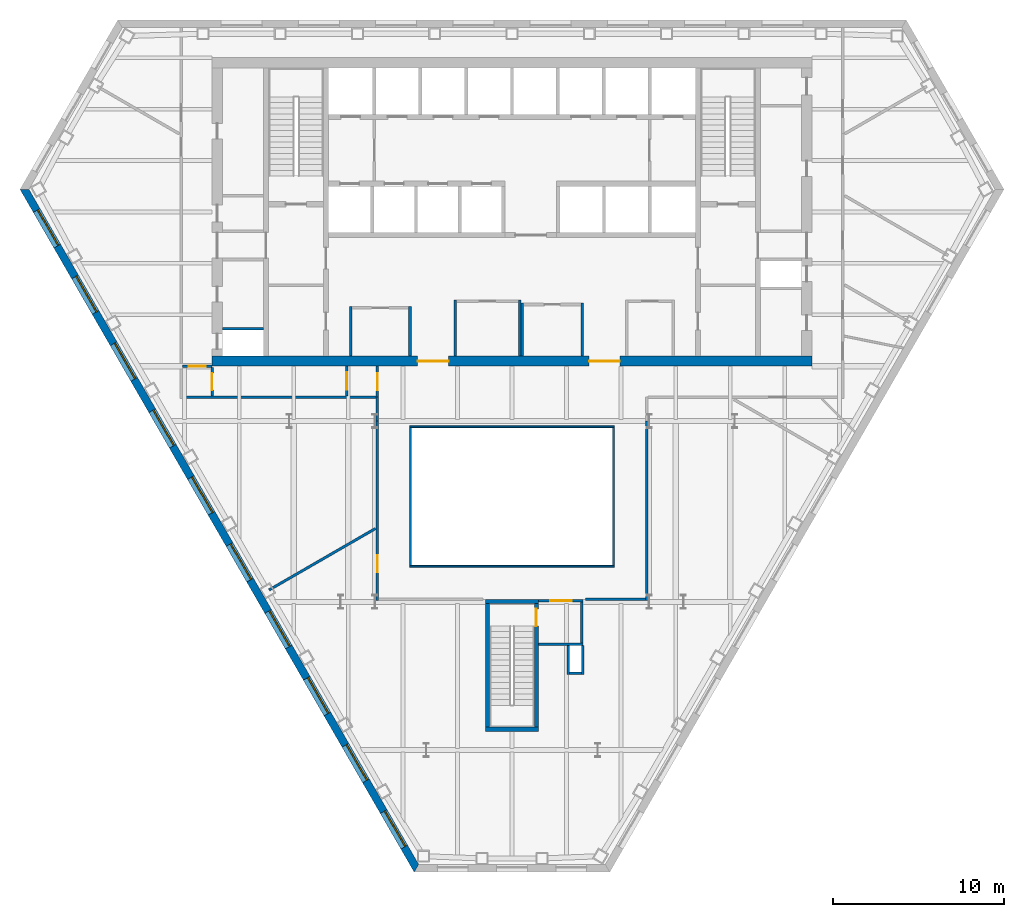
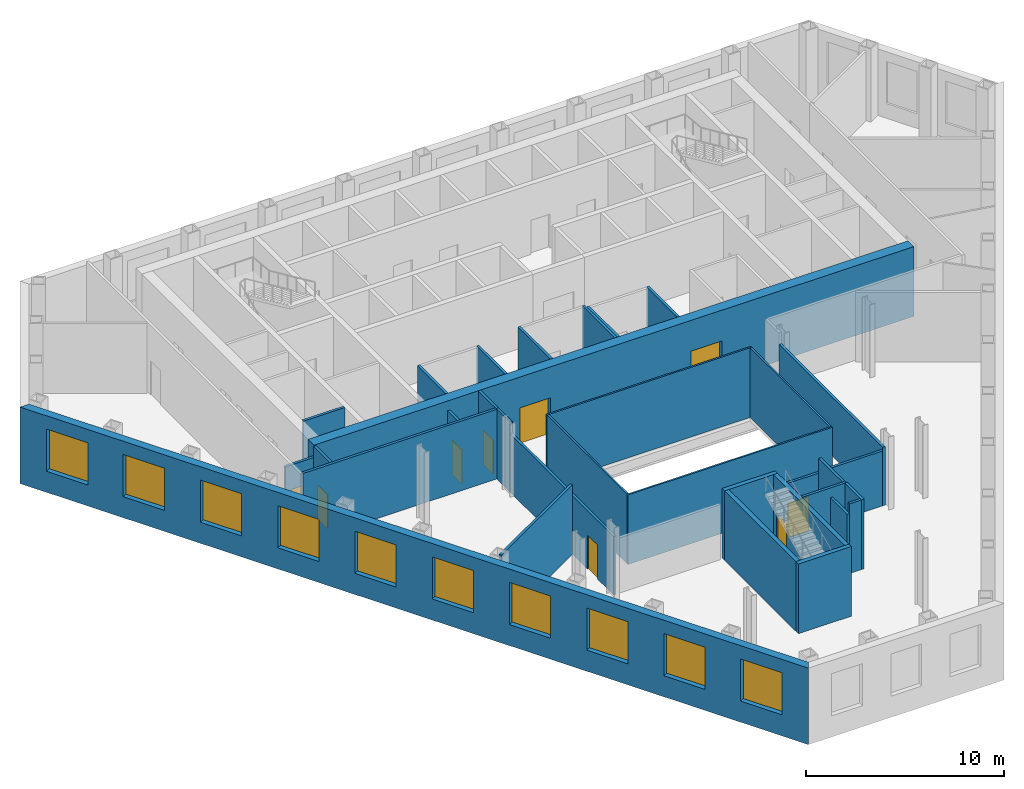
# One storey, part 4 of 10: 33 walls, 10 windows, 9 doors, 19 openings.
"""IFC4 building model written with IfcOpenShell, lengths in metres."""

from ifc_helpers import new_model, si_unit, direction, frame, frame_2d, origin, place, context, subcontext, project, spatial, polyline, rectangle, outline, extrude, material, layer, layer_set, type_object, element, fill, save


model = new_model("IFC4")

# Units and contexts
model_context = context("Model", 3, precision=1e-05, world=origin(), true_north=direction((0.0, 1.0)))
body_context = subcontext(model_context, "Body", "Model", "MODEL_VIEW")
ifc_project = project(units=[si_unit("LENGTHUNIT", "METRE"), si_unit("AREAUNIT", "SQUARE_METRE"), si_unit("VOLUMEUNIT", "CUBIC_METRE"), si_unit("PLANEANGLEUNIT", "RADIAN"), si_unit("MASSUNIT", "GRAM", prefix="KILO")], contexts=[model_context])

# Site, building, storey
site_placement = place(None, origin())
site = spatial("IfcSite", under=ifc_project, at=site_placement, CompositionType="ELEMENT")
building_placement = place(site_placement, origin())
building = spatial("IfcBuilding", under=site, at=building_placement, Name="Njiva Tower", CompositionType="ELEMENT")
storey_placement = place(building_placement, frame((0.0, 0.0, 55.8)))
storey = spatial("IfcBuildingStorey", under=building, at=storey_placement, Name="L11", CompositionType="ELEMENT", Elevation=55.8)

# Walls
ifc_material_1 = material(Name="Blockwork", Category="masonry")
ifc_layer_1 = layer(ifc_material_1, 0.15)
ifc_layer_set_1 = layer_set([ifc_layer_1], Name="Blockwork")
wall_type_1 = type_object("IfcWallType", Name="WT1 Compartment partition 150", PredefinedType="PARTITIONING", material=ifc_layer_set_1)
for number, where, z_axis, x_axis, name in (
    (1, (-9.4, 0.6, 0.0), (0.0, 0.0, 1.0), (0.0, 1.0, 0.0), "Waiting room wall west"),
    (2, (-5.95, 0.6, 0.0), (0.0, 0.0, 1.0), (0.0, 1.0, 0.0), "Waiting room wall east"),
):
    element("IfcWall", number, at=place(storey_placement, frame(where, z_axis=z_axis, x_axis=x_axis)), inside=storey, type_object=wall_type_1, Name=name, PredefinedType="PARTITIONING", context=body_context, shape_type="SweptSolid", body=[
        extrude(rectangle(XDim=2.875, YDim=0.15, at=frame_2d((1.4375, 0.0))), origin(), (0.0, 0.0, 1.0), 4.3),
    ])
for number, where, z_axis, x_axis, name in (
    (3, (-3.3, 0.6, 0.0), (0.0, 0.0, 1.0), (0.0, 1.0, 0.0), "First aid room wall west"),
    (4, (0.45, 0.6, 0.0), (0.0, 0.0, 1.0), (0.0, 1.0, 0.0), "First aid room wall east"),
):
    element("IfcWall", number, at=place(storey_placement, frame(where, z_axis=z_axis, x_axis=x_axis)), inside=storey, type_object=wall_type_1, Name=name, PredefinedType="PARTITIONING", context=body_context, shape_type="SweptSolid", body=[
        extrude(rectangle(XDim=3.275, YDim=0.15, at=frame_2d((1.6375, 0.0))), origin(), (0.0, 0.0, 1.0), 4.3),
    ])
for number, where, z_axis, x_axis, name in (
    (5, (0.6, 0.6, 0.0), (0.0, 0.0, 1.0), (0.0, 1.0, 0.0), "Parcel room wall west"),
    (6, (4.1, 0.6, 0.0), (0.0, 0.0, 1.0), (0.0, 1.0, 0.0), "Parcel room wall east"),
):
    element("IfcWall", number, at=place(storey_placement, frame(where, z_axis=z_axis, x_axis=x_axis)), inside=storey, type_object=wall_type_1, Name=name, PredefinedType="PARTITIONING", context=body_context, shape_type="SweptSolid", body=[
        extrude(rectangle(XDim=3.075, YDim=0.15, at=frame_2d((1.5375, 0.0))), origin(), (0.0, 0.0, 1.0), 4.3),
    ])

# Wall, openings, doors
ifc_material_2 = material(Name="Concrete C60/75", Category="concrete")
ifc_layer_2 = layer(ifc_material_2, 0.6)
ifc_layer_set_2 = layer_set([ifc_layer_2], Name="Concrete C60/75")
wall_type_2 = type_object("IfcWallType", Name="WT15 Core wall 600", PredefinedType="SHEAR", material=ifc_layer_set_2)
wall_1_placement = place(storey_placement, frame((-17.5, 0.3, 0.0), z_axis=(0.0, 0.0, 1.0), x_axis=(1.0, 0.0, 0.0)))
wall_1 = element("IfcWall", 7, at=wall_1_placement, inside=storey, type_object=wall_type_2, Name="Core wall south", PredefinedType="SHEAR", context=body_context, shape_type="SweptSolid", body=[
    extrude(rectangle(XDim=35.0, YDim=0.6, at=frame_2d((17.5, 0.0))), origin(), (0.0, 0.0, 1.0), 4.3),
])
opening_1_placement = place(wall_1_placement, frame((12.0, 0.0, 0.0)))
opening_1 = element("IfcOpeningElement", 8, at=opening_1_placement, cuts=wall_1, Name="Opening S03-D937", PredefinedType="OPENING", context=body_context, shape_type="SweptSolid", body=[
    extrude(rectangle(XDim=1.8, YDim=2.4, at=frame_2d((0.9, 1.2))), frame((0.0, 0.31, 0.0), z_axis=(0.0, -1.0, 0.0), x_axis=(1.0, 0.0, 0.0)), (0.0, 0.0, 1.0), 0.62),
])
opening_2_placement = place(wall_1_placement, frame((22.0, 0.0, 0.0)))
opening_2 = element("IfcOpeningElement", 9, at=opening_2_placement, cuts=wall_1, Name="Opening S03-D938", PredefinedType="OPENING", context=body_context, shape_type="SweptSolid", body=[
    extrude(rectangle(XDim=1.8, YDim=2.4, at=frame_2d((0.9, 1.2))), frame((0.0, 0.31, 0.0), z_axis=(0.0, -1.0, 0.0), x_axis=(1.0, 0.0, 0.0)), (0.0, 0.0, 1.0), 0.62),
])
ifc_material_3 = material(Name="Steel and glass door", Category="steel")
door_type_1 = type_object("IfcDoorType", Name="D3 Core entrance door 1800x2400", OperationType="DOUBLE_DOOR_SINGLE_SWING", PredefinedType="DOOR", material=ifc_material_3)
door_1_placement = place(opening_1_placement, origin())
door_1 = element("IfcDoor", 10, at=door_1_placement, inside=storey, type_object=door_type_1, Name="Core entrance door", OperationType="DOUBLE_DOOR_SINGLE_SWING", OverallHeight=2.4, OverallWidth=1.8, PredefinedType="DOOR", context=body_context, shape_type="SweptSolid", body=[
    extrude(rectangle(XDim=1.8, YDim=2.4, at=frame_2d((0.9, 1.2))), frame((0.0, 0.025, 0.0), z_axis=(0.0, -1.0, 0.0), x_axis=(1.0, 0.0, 0.0)), (0.0, 0.0, 1.0), 0.05),
])
fill(opening_1, door_1)
door_2_placement = place(opening_2_placement, origin())
door_2 = element("IfcDoor", 11, at=door_2_placement, inside=storey, type_object=door_type_1, Name="Core entrance door", OperationType="DOUBLE_DOOR_SINGLE_SWING", OverallHeight=2.4, OverallWidth=1.8, PredefinedType="DOOR", context=body_context, shape_type="SweptSolid", body=[
    extrude(rectangle(XDim=1.8, YDim=2.4, at=frame_2d((0.9, 1.2))), frame((0.0, 0.025, 0.0), z_axis=(0.0, -1.0, 0.0), x_axis=(1.0, 0.0, 0.0)), (0.0, 0.0, 1.0), 0.05),
])
fill(opening_2, door_2)

# Wall
ifc_material_4 = material(Name="Gypsum board on steel studs", Category="gypsum")
ifc_layer_3 = layer(ifc_material_4, 0.15)
ifc_layer_set_3 = layer_set([ifc_layer_3], Name="Gypsum board on steel studs")
wall_type_3 = type_object("IfcWallType", Name="WT21 Compartment wall 150", PredefinedType="PARTITIONING", material=ifc_layer_set_3)
wall_2_placement = place(storey_placement, frame((-19.225, -1.8, 0.0), z_axis=(0.0, 0.0, 1.0), x_axis=(1.0, 0.0, 0.0)))
element("IfcWall", 12, at=wall_2_placement, inside=storey, type_object=wall_type_3, Name="Partition S03-P003", PredefinedType="PARTITIONING", context=body_context, shape_type="SweptSolid", body=[
    extrude(rectangle(XDim=11.3, YDim=0.15, at=frame_2d((5.65, 0.0))), origin(), (0.0, 0.0, 1.0), 4.3),
])

# Wall, opening, door
wall_3_placement = place(storey_placement, frame((-19.225, 0.0, 0.0), z_axis=(0.0, 0.0, 1.0), x_axis=(1.0, 0.0, 0.0)))
wall_3 = element("IfcWall", 13, at=wall_3_placement, inside=storey, type_object=wall_type_3, Name="Partition S03-P004", PredefinedType="PARTITIONING", context=body_context, shape_type="SweptSolid", body=[
    extrude(rectangle(XDim=1.725, YDim=0.15, at=frame_2d((0.8625, 0.0))), origin(), (0.0, 0.0, 1.0), 3.61),
])
opening_3_placement = place(wall_3_placement, frame((0.363, 0.0, 0.0)))
opening_3 = element("IfcOpeningElement", 14, at=opening_3_placement, cuts=wall_3, Name="Opening S03-D003", PredefinedType="OPENING", context=body_context, shape_type="SweptSolid", body=[
    extrude(rectangle(XDim=1.0, YDim=2.1, at=frame_2d((0.5, 1.05))), frame((0.0, 0.085, 0.0), z_axis=(0.0, -1.0, 0.0), x_axis=(1.0, 0.0, 0.0)), (0.0, 0.0, 1.0), 0.17),
])
ifc_material_5 = material(Name="Steel fire door set", Category="steel")
door_type_2 = type_object("IfcDoorType", Name="D37 Fire door 1000x2100", OperationType="SINGLE_SWING_LEFT", PredefinedType="DOOR", material=ifc_material_5)
door_3_placement = place(opening_3_placement, origin())
door_3 = element("IfcDoor", 15, at=door_3_placement, inside=storey, type_object=door_type_2, Name="Door S03-D003", OperationType="SINGLE_SWING_LEFT", OverallHeight=2.1, OverallWidth=1.0, PredefinedType="DOOR", context=body_context, shape_type="SweptSolid", body=[
    extrude(rectangle(XDim=1.0, YDim=2.1, at=frame_2d((0.5, 1.05))), frame((0.0, 0.025, 0.0), z_axis=(0.0, -1.0, 0.0), x_axis=(1.0, 0.0, 0.0)), (0.0, 0.0, 1.0), 0.05),
])
fill(opening_3, door_3)

wall_4_placement = place(storey_placement, frame((-17.5, -1.725, 0.0), z_axis=(0.0, 0.0, 1.0), x_axis=(0.0, 1.0, 0.0)))
wall_4 = element("IfcWall", 16, at=wall_4_placement, inside=storey, type_object=wall_type_3, Name="Partition S03-P005", PredefinedType="PARTITIONING", context=body_context, shape_type="SweptSolid", body=[
    extrude(rectangle(XDim=1.65, YDim=0.15, at=frame_2d((0.825, 0.0))), origin(), (0.0, 0.0, 1.0), 4.3),
])
opening_4_placement = place(wall_4_placement, frame((0.325, 0.0, 0.0)))
opening_4 = element("IfcOpeningElement", 17, at=opening_4_placement, cuts=wall_4, Name="Opening S03-D004", PredefinedType="OPENING", context=body_context, shape_type="SweptSolid", body=[
    extrude(rectangle(XDim=1.0, YDim=2.1, at=frame_2d((0.5, 1.05))), frame((0.0, 0.085, 0.0), z_axis=(0.0, -1.0, 0.0), x_axis=(1.0, 0.0, 0.0)), (0.0, 0.0, 1.0), 0.17),
])
door_4_placement = place(opening_4_placement, origin())
door_4 = element("IfcDoor", 18, at=door_4_placement, inside=storey, type_object=door_type_2, Name="Door S03-D004", OperationType="SINGLE_SWING_LEFT", OverallHeight=2.1, OverallWidth=1.0, PredefinedType="DOOR", context=body_context, shape_type="SweptSolid", body=[
    extrude(rectangle(XDim=1.0, YDim=2.1, at=frame_2d((0.5, 1.05))), frame((0.0, 0.025, 0.0), z_axis=(0.0, -1.0, 0.0), x_axis=(1.0, 0.0, 0.0)), (0.0, 0.0, 1.0), 0.05),
])
fill(opening_4, door_4)

# Wall
wall_5_placement = place(storey_placement, frame((-14.172, -13.053, 0.0), z_axis=(0.0, 0.0, 1.0), x_axis=(0.866046247233, 0.49996389635, 0.0)))
element("IfcWall", 19, at=wall_5_placement, inside=storey, type_object=wall_type_3, Name="Partition S03-P006", PredefinedType="PARTITIONING", context=body_context, shape_type="SweptSolid", body=[
    extrude(rectangle(XDim=7.1705, YDim=0.15, at=frame_2d((3.5852, 0.0))), origin(), (0.0, 0.0, 1.0), 4.3),
])

# Wall, opening, door
wall_6_placement = place(storey_placement, frame((-9.65, -1.725, 0.0), z_axis=(0.0, 0.0, 1.0), x_axis=(0.0, 1.0, 0.0)))
wall_6 = element("IfcWall", 20, at=wall_6_placement, inside=storey, type_object=wall_type_3, Name="Partition S03-P007", PredefinedType="PARTITIONING", context=body_context, shape_type="SweptSolid", body=[
    extrude(rectangle(XDim=1.725, YDim=0.15, at=frame_2d((0.8625, 0.0))), origin(), (0.0, 0.0, 1.0), 3.7),
])
opening_5_placement = place(wall_6_placement, frame((0.363, 0.0, 0.0)))
opening_5 = element("IfcOpeningElement", 21, at=opening_5_placement, cuts=wall_6, Name="Opening S03-D005", PredefinedType="OPENING", context=body_context, shape_type="SweptSolid", body=[
    extrude(rectangle(XDim=1.0, YDim=2.1, at=frame_2d((0.5, 1.05))), frame((0.0, 0.085, 0.0), z_axis=(0.0, -1.0, 0.0), x_axis=(1.0, 0.0, 0.0)), (0.0, 0.0, 1.0), 0.17),
])
door_5_placement = place(opening_5_placement, origin())
door_5 = element("IfcDoor", 22, at=door_5_placement, inside=storey, type_object=door_type_2, Name="Door S03-D005", OperationType="SINGLE_SWING_LEFT", OverallHeight=2.1, OverallWidth=1.0, PredefinedType="DOOR", context=body_context, shape_type="SweptSolid", body=[
    extrude(rectangle(XDim=1.0, YDim=2.1, at=frame_2d((0.5, 1.05))), frame((0.0, 0.025, 0.0), z_axis=(0.0, -1.0, 0.0), x_axis=(1.0, 0.0, 0.0)), (0.0, 0.0, 1.0), 0.05),
])
fill(opening_5, door_5)

wall_7_placement = place(storey_placement, frame((-7.85, -13.675, 0.0), z_axis=(0.0, 0.0, 1.0), x_axis=(0.0, 1.0, 0.0)))
wall_7 = element("IfcWall", 23, at=wall_7_placement, inside=storey, type_object=wall_type_3, Name="Partition S03-P008", PredefinedType="PARTITIONING", context=body_context, shape_type="SweptSolid", body=[
    extrude(rectangle(XDim=10.475, YDim=0.15, at=frame_2d((5.2375, 0.0))), origin(), (0.0, 0.0, 1.0), 3.61),
])
opening_6_placement = place(wall_7_placement, frame((1.646, 0.0, 0.0)))
opening_6 = element("IfcOpeningElement", 24, at=opening_6_placement, cuts=wall_7, Name="Opening S03-D006", PredefinedType="OPENING", context=body_context, shape_type="SweptSolid", body=[
    extrude(rectangle(XDim=1.0, YDim=2.1, at=frame_2d((0.5, 1.05))), frame((0.0, 0.085, 0.0), z_axis=(0.0, -1.0, 0.0), x_axis=(1.0, 0.0, 0.0)), (0.0, 0.0, 1.0), 0.17),
])
door_6_placement = place(opening_6_placement, origin())
door_6 = element("IfcDoor", 25, at=door_6_placement, inside=storey, type_object=door_type_2, Name="Door S03-D006", OperationType="SINGLE_SWING_RIGHT", OverallHeight=2.1, OverallWidth=1.0, PredefinedType="DOOR", context=body_context, shape_type="SweptSolid", body=[
    extrude(rectangle(XDim=1.0, YDim=2.1, at=frame_2d((0.5, 1.05))), frame((0.0, 0.025, 0.0), z_axis=(0.0, -1.0, 0.0), x_axis=(1.0, 0.0, 0.0)), (0.0, 0.0, 1.0), 0.05),
])
fill(opening_6, door_6)

# Wall
wall_8_placement = place(storey_placement, frame((-7.85, -3.2, 0.0), z_axis=(0.0, 0.0, 1.0), x_axis=(0.0, 1.0, 0.0)))
element("IfcWall", 26, at=wall_8_placement, inside=storey, type_object=wall_type_3, Name="Partition S03-P008A", PredefinedType="PARTITIONING", context=body_context, shape_type="SweptSolid", body=[
    extrude(rectangle(XDim=1.397, YDim=0.15, at=frame_2d((0.6985, 0.0))), origin(), (0.0, 0.0, 1.0), 4.3),
])

# Wall, opening, door
wall_9_placement = place(storey_placement, frame((-7.85, -1.8, 0.0), z_axis=(0.0, 0.0, 1.0), x_axis=(0.0, 1.0, 0.0)))
wall_9 = element("IfcWall", 27, at=wall_9_placement, inside=storey, type_object=wall_type_3, Name="Partition S03-P009", PredefinedType="PARTITIONING", context=body_context, shape_type="SweptSolid", body=[
    extrude(rectangle(XDim=1.8, YDim=0.15, at=frame_2d((0.9, 0.0))), origin(), (0.0, 0.0, 1.0), 4.3),
])
opening_7_placement = place(wall_9_placement, frame((0.4, 0.0, 0.0)))
opening_7 = element("IfcOpeningElement", 28, at=opening_7_placement, cuts=wall_9, Name="Opening S03-D007", PredefinedType="OPENING", context=body_context, shape_type="SweptSolid", body=[
    extrude(rectangle(XDim=1.0, YDim=2.1, at=frame_2d((0.5, 1.05))), frame((0.0, 0.085, 0.0), z_axis=(0.0, -1.0, 0.0), x_axis=(1.0, 0.0, 0.0)), (0.0, 0.0, 1.0), 0.17),
])
door_7_placement = place(opening_7_placement, origin())
door_7 = element("IfcDoor", 29, at=door_7_placement, inside=storey, type_object=door_type_2, Name="Door S03-D007", OperationType="SINGLE_SWING_LEFT", OverallHeight=2.1, OverallWidth=1.0, PredefinedType="DOOR", context=body_context, shape_type="SweptSolid", body=[
    extrude(rectangle(XDim=1.0, YDim=2.1, at=frame_2d((0.5, 1.05))), frame((0.0, 0.025, 0.0), z_axis=(0.0, -1.0, 0.0), x_axis=(1.0, 0.0, 0.0)), (0.0, 0.0, 1.0), 0.05),
])
fill(opening_7, door_7)

# Walls
wall_10_placement = place(storey_placement, frame((4.3, -13.6, 0.0), z_axis=(0.0, 0.0, 1.0), x_axis=(1.0, 0.0, 0.0)))
element("IfcWall", 30, at=wall_10_placement, inside=storey, type_object=wall_type_3, Name="Partition S03-P011", PredefinedType="PARTITIONING", context=body_context, shape_type="SweptSolid", body=[
    extrude(rectangle(XDim=3.475, YDim=0.15, at=frame_2d((1.7375, 0.0))), origin(), (0.0, 0.0, 1.0), 3.39),
])
wall_11_placement = place(storey_placement, frame((7.85, -13.675, 0.0), z_axis=(0.0, 0.0, 1.0), x_axis=(0.0, 1.0, 0.0)))
element("IfcWall", 31, at=wall_11_placement, inside=storey, type_object=wall_type_3, Name="Partition S03-P012", PredefinedType="PARTITIONING", context=body_context, shape_type="SweptSolid", body=[
    extrude(rectangle(XDim=10.475, YDim=0.15, at=frame_2d((5.2375, 0.0))), origin(), (0.0, 0.0, 1.0), 3.61),
])
ifc_layer_4 = layer(ifc_material_1, 0.15)
ifc_layer_set_4 = layer_set([ifc_layer_4], Name="Blockwork")
wall_type_4 = type_object("IfcWallType", Name="WT3 Riser partition 150", PredefinedType="PARTITIONING", material=ifc_layer_set_4)
wall_12_placement = place(storey_placement, frame((-16.9, 2.175, 0.0), z_axis=(0.0, 0.0, 1.0), x_axis=(1.0, 0.0, 0.0)))
element("IfcWall", 32, at=wall_12_placement, inside=storey, type_object=wall_type_4, Name="Partition strip W00", PredefinedType="PARTITIONING", context=body_context, shape_type="SweptSolid", body=[
    extrude(rectangle(XDim=2.4, YDim=0.15, at=frame_2d((1.2, 0.0))), origin(), (0.0, 0.0, 1.0), 4.3),
])
ifc_layer_5 = layer(ifc_material_1, 0.15)
ifc_layer_set_5 = layer_set([ifc_layer_5], Name="Blockwork")
wall_type_5 = type_object("IfcWallType", Name="WT4 Stair partition 150", PredefinedType="PARTITIONING", material=ifc_layer_set_5)
wall_13_placement = place(storey_placement, frame((1.55, -16.225, 0.0), z_axis=(0.0, 0.0, 1.0), x_axis=(1.0, 0.0, 0.0)))
element("IfcWall", 33, at=wall_13_placement, inside=storey, type_object=wall_type_5, Name="Stair C vestibule wall south", PredefinedType="PARTITIONING", context=body_context, shape_type="SweptSolid", body=[
    extrude(rectangle(XDim=2.6, YDim=0.15, at=frame_2d((1.3, 0.0))), origin(), (0.0, 0.0, 1.0), 4.3),
])
wall_14_placement = place(storey_placement, frame((4.075, -16.15, 0.0), z_axis=(0.0, 0.0, 1.0), x_axis=(0.0, 1.0, 0.0)))
element("IfcWall", 34, at=wall_14_placement, inside=storey, type_object=wall_type_5, Name="Stair C vestibule wall east", PredefinedType="PARTITIONING", context=body_context, shape_type="SweptSolid", body=[
    extrude(rectangle(XDim=2.4, YDim=0.15, at=frame_2d((1.2, 0.0))), origin(), (0.0, 0.0, 1.0), 4.3),
])

# Wall, opening, door
wall_15_placement = place(storey_placement, frame((1.55, -13.675, 0.0), z_axis=(0.0, 0.0, 1.0), x_axis=(1.0, 0.0, 0.0)))
wall_15 = element("IfcWall", 35, at=wall_15_placement, inside=storey, type_object=wall_type_5, Name="Stair C vestibule wall north", PredefinedType="PARTITIONING", context=body_context, shape_type="SweptSolid", body=[
    extrude(rectangle(XDim=2.6, YDim=0.15, at=frame_2d((1.3, 0.0))), origin(), (0.0, 0.0, 1.0), 3.39),
])
opening_8_placement = place(wall_15_placement, frame((0.675, 0.0, 0.0)))
opening_8 = element("IfcOpeningElement", 36, at=opening_8_placement, cuts=wall_15, Name="Opening S03-D940", PredefinedType="OPENING", context=body_context, shape_type="SweptSolid", body=[
    extrude(rectangle(XDim=1.25, YDim=2.1, at=frame_2d((0.625, 1.05))), frame((0.0, 0.085, 0.0), z_axis=(0.0, -1.0, 0.0), x_axis=(1.0, 0.0, 0.0)), (0.0, 0.0, 1.0), 0.17),
])
ifc_material_6 = material(Name="Glazed steel fire door", Category="steel")
door_type_3 = type_object("IfcDoorType", Name="D8 Vestibule corridor door 1250x2100 glazed", OperationType="SINGLE_SWING_LEFT", PredefinedType="DOOR", material=ifc_material_6)
door_8_placement = place(opening_8_placement, origin())
door_8 = element("IfcDoor", 37, at=door_8_placement, inside=storey, type_object=door_type_3, Name="Stair vestibule corridor door", OperationType="SINGLE_SWING_RIGHT", OverallHeight=2.1, OverallWidth=1.25, PredefinedType="DOOR", context=body_context, shape_type="SweptSolid", body=[
    extrude(rectangle(XDim=1.25, YDim=2.1, at=frame_2d((0.625, 1.05))), frame((0.0, 0.025, 0.0), z_axis=(0.0, -1.0, 0.0), x_axis=(1.0, 0.0, 0.0)), (0.0, 0.0, 1.0), 0.05),
])
fill(opening_8, door_8)

# Walls
wall_16_placement = place(storey_placement, frame((3.275, -18.0, 0.0), z_axis=(0.0, 0.0, 1.0), x_axis=(0.0, 1.0, 0.0)))
element("IfcWall", 38, at=wall_16_placement, inside=storey, type_object=wall_type_5, Name="Stair C pressurisation shaft wall", PredefinedType="PARTITIONING", context=body_context, shape_type="SweptSolid", body=[
    extrude(rectangle(XDim=1.7, YDim=0.15, at=frame_2d((0.85, 0.0))), origin(), (0.0, 0.0, 1.0), 3.7),
])
wall_17_placement = place(storey_placement, frame((3.35, -17.925, 0.0), z_axis=(0.0, 0.0, 1.0), x_axis=(1.0, 0.0, 0.0)))
element("IfcWall", 39, at=wall_17_placement, inside=storey, type_object=wall_type_5, Name="Stair C pressurisation shaft wall", PredefinedType="PARTITIONING", context=body_context, shape_type="SweptSolid", body=[
    extrude(rectangle(XDim=0.7, YDim=0.15, at=frame_2d((0.35, 0.0))), origin(), (0.0, 0.0, 1.0), 4.3),
])
wall_18_placement = place(storey_placement, frame((4.125, -18.0, 0.0), z_axis=(0.0, 0.0, 1.0), x_axis=(0.0, 1.0, 0.0)))
element("IfcWall", 40, at=wall_18_placement, inside=storey, type_object=wall_type_5, Name="Stair C pressurisation shaft wall", PredefinedType="PARTITIONING", context=body_context, shape_type="SweptSolid", body=[
    extrude(rectangle(XDim=1.7, YDim=0.15, at=frame_2d((0.85, 0.0))), origin(), (0.0, 0.0, 1.0), 4.3),
])
ifc_material_7 = material(Name="Concrete C40/50", Category="concrete")
ifc_layer_6 = layer(ifc_material_7, 0.25)
ifc_layer_set_6 = layer_set([ifc_layer_6], Name="Concrete C40/50")
wall_type_6 = type_object("IfcWallType", Name="WT9 Stair enclosure wall 250", PredefinedType="SHEAR", material=ifc_layer_set_6)
wall_19_placement = place(storey_placement, frame((-1.425, -21.05, 0.0), z_axis=(0.0, 0.0, 1.0), x_axis=(0.0, 1.0, 0.0)))
element("IfcWall", 41, at=wall_19_placement, inside=storey, type_object=wall_type_6, Name="Stair C wall west", PredefinedType="SHEAR", context=body_context, shape_type="SweptSolid", body=[
    extrude(rectangle(XDim=7.2, YDim=0.25, at=frame_2d((3.6, 0.0))), origin(), (0.0, 0.0, 1.0), 4.3),
])

# Wall, opening, door
wall_20_placement = place(storey_placement, frame((1.425, -21.05, 0.0), z_axis=(0.0, 0.0, 1.0), x_axis=(0.0, 1.0, 0.0)))
wall_20 = element("IfcWall", 42, at=wall_20_placement, inside=storey, type_object=wall_type_6, Name="Stair C wall east", PredefinedType="SHEAR", context=body_context, shape_type="SweptSolid", body=[
    extrude(rectangle(XDim=7.2, YDim=0.25, at=frame_2d((3.6, 0.0))), origin(), (0.0, 0.0, 1.0), 4.3),
])
opening_9_placement = place(wall_20_placement, frame((5.89, 0.0, 0.0)))
opening_9 = element("IfcOpeningElement", 43, at=opening_9_placement, cuts=wall_20, Name="Opening S03-D939", PredefinedType="OPENING", context=body_context, shape_type="SweptSolid", body=[
    extrude(rectangle(XDim=1.0, YDim=2.1, at=frame_2d((0.5, 1.05))), frame((0.0, 0.135, 0.0), z_axis=(0.0, -1.0, 0.0), x_axis=(1.0, 0.0, 0.0)), (0.0, 0.0, 1.0), 0.27),
])
door_type_4 = type_object("IfcDoorType", Name="D9 Stair vestibule door 1000x2100 glazed", OperationType="SINGLE_SWING_LEFT", PredefinedType="DOOR", material=ifc_material_6)
door_9_placement = place(opening_9_placement, origin())
door_9 = element("IfcDoor", 44, at=door_9_placement, inside=storey, type_object=door_type_4, Name="Stair C door", OperationType="SINGLE_SWING_LEFT", OverallHeight=2.1, OverallWidth=1.0, PredefinedType="DOOR", context=body_context, shape_type="SweptSolid", body=[
    extrude(rectangle(XDim=1.0, YDim=2.1, at=frame_2d((0.5, 1.05))), frame((0.0, 0.025, 0.0), z_axis=(0.0, -1.0, 0.0), x_axis=(1.0, 0.0, 0.0)), (0.0, 0.0, 1.0), 0.05),
])
fill(opening_9, door_9)

# Walls
for number, where, z_axis, x_axis, name in (
    (45, (-1.55, -21.175, 0.0), (0.0, 0.0, 1.0), (1.0, 0.0, 0.0), "Stair C wall south"),
    (46, (-1.55, -13.725, 0.0), (0.0, 0.0, 1.0), (1.0, 0.0, 0.0), "Stair C wall north"),
):
    element("IfcWall", number, at=place(storey_placement, frame(where, z_axis=z_axis, x_axis=x_axis)), inside=storey, type_object=wall_type_6, Name=name, PredefinedType="SHEAR", context=body_context, shape_type="SweptSolid", body=[
        extrude(rectangle(XDim=3.1, YDim=0.25, at=frame_2d((1.55, 0.0))), origin(), (0.0, 0.0, 1.0), 4.3),
    ])

# Wall, openings, windows
ifc_material_8 = material(Name="Brick masonry", Category="masonry")
ifc_layer_7 = layer(ifc_material_8, 0.45)
ifc_layer_set_7 = layer_set([ifc_layer_7], Name="Brick masonry")
wall_type_7 = type_object("IfcWallType", Name="WT90 Brick pier and spandrel wall 450", PredefinedType="SOLIDWALL", material=ifc_layer_set_7)
wall_21_placement = place(storey_placement, frame((-28.4452, 10.3187, -0.4), z_axis=(0.0, 0.0, 1.0), x_axis=(0.499999764979, -0.866025539474, 0.0)))
wall_21 = element("IfcWall", 47, at=wall_21_placement, inside=storey, type_object=wall_type_7, Name="Facade wall SW", PredefinedType="SOLIDWALL", context=body_context, shape_type="SweptSolid", body=[
    extrude(outline(polyline([(-0.1299, -0.225), (45.8701, -0.225), (45.6103, 0.225), (0.1299, 0.225), (-0.1299, -0.225)])), origin(), (0.0, 0.0, 1.0), 4.72),
])
opening_10_placement = place(wall_21_placement, frame((1.4242, 0.0, 1.3)))
opening_10 = element("IfcOpeningElement", 48, at=opening_10_placement, cuts=wall_21, Name="Opening S03-W12", PredefinedType="OPENING", context=body_context, shape_type="SweptSolid", body=[
    extrude(rectangle(XDim=2.4, YDim=2.6, at=frame_2d((1.2, 1.3))), frame((0.0, 0.235, 0.0), z_axis=(0.0, -1.0, 0.0), x_axis=(1.0, 0.0, 0.0)), (0.0, 0.0, 1.0), 0.47),
])
opening_11_placement = place(wall_21_placement, frame((5.8934, 0.0, 1.3)))
opening_11 = element("IfcOpeningElement", 49, at=opening_11_placement, cuts=wall_21, Name="Opening S03-W13", PredefinedType="OPENING", context=body_context, shape_type="SweptSolid", body=[
    extrude(rectangle(XDim=2.4, YDim=2.6, at=frame_2d((1.2, 1.3))), frame((0.0, 0.235, 0.0), z_axis=(0.0, -1.0, 0.0), x_axis=(1.0, 0.0, 0.0)), (0.0, 0.0, 1.0), 0.47),
])
opening_12_placement = place(wall_21_placement, frame((10.401, 0.0, 1.3)))
opening_12 = element("IfcOpeningElement", 50, at=opening_12_placement, cuts=wall_21, Name="Opening S03-W14", PredefinedType="OPENING", context=body_context, shape_type="SweptSolid", body=[
    extrude(rectangle(XDim=2.4, YDim=2.6, at=frame_2d((1.2, 1.3))), frame((0.0, 0.235, 0.0), z_axis=(0.0, -1.0, 0.0), x_axis=(1.0, 0.0, 0.0)), (0.0, 0.0, 1.0), 0.47),
])
opening_13_placement = place(wall_21_placement, frame((14.9087, 0.0, 1.3)))
opening_13 = element("IfcOpeningElement", 51, at=opening_13_placement, cuts=wall_21, Name="Opening S03-W15", PredefinedType="OPENING", context=body_context, shape_type="SweptSolid", body=[
    extrude(rectangle(XDim=2.4, YDim=2.6, at=frame_2d((1.2, 1.3))), frame((0.0, 0.235, 0.0), z_axis=(0.0, -1.0, 0.0), x_axis=(1.0, 0.0, 0.0)), (0.0, 0.0, 1.0), 0.47),
])
opening_14_placement = place(wall_21_placement, frame((19.4163, 0.0, 1.3)))
opening_14 = element("IfcOpeningElement", 52, at=opening_14_placement, cuts=wall_21, Name="Opening S03-W16", PredefinedType="OPENING", context=body_context, shape_type="SweptSolid", body=[
    extrude(rectangle(XDim=2.4, YDim=2.6, at=frame_2d((1.2, 1.3))), frame((0.0, 0.235, 0.0), z_axis=(0.0, -1.0, 0.0), x_axis=(1.0, 0.0, 0.0)), (0.0, 0.0, 1.0), 0.47),
])
opening_15_placement = place(wall_21_placement, frame((23.9239, 0.0, 1.3)))
opening_15 = element("IfcOpeningElement", 53, at=opening_15_placement, cuts=wall_21, Name="Opening S03-W17", PredefinedType="OPENING", context=body_context, shape_type="SweptSolid", body=[
    extrude(rectangle(XDim=2.4, YDim=2.6, at=frame_2d((1.2, 1.3))), frame((0.0, 0.235, 0.0), z_axis=(0.0, -1.0, 0.0), x_axis=(1.0, 0.0, 0.0)), (0.0, 0.0, 1.0), 0.47),
])
opening_16_placement = place(wall_21_placement, frame((28.4315, 0.0, 1.3)))
opening_16 = element("IfcOpeningElement", 54, at=opening_16_placement, cuts=wall_21, Name="Opening S03-W18", PredefinedType="OPENING", context=body_context, shape_type="SweptSolid", body=[
    extrude(rectangle(XDim=2.4, YDim=2.6, at=frame_2d((1.2, 1.3))), frame((0.0, 0.235, 0.0), z_axis=(0.0, -1.0, 0.0), x_axis=(1.0, 0.0, 0.0)), (0.0, 0.0, 1.0), 0.47),
])
opening_17_placement = place(wall_21_placement, frame((32.9391, 0.0, 1.3)))
opening_17 = element("IfcOpeningElement", 55, at=opening_17_placement, cuts=wall_21, Name="Opening S03-W19", PredefinedType="OPENING", context=body_context, shape_type="SweptSolid", body=[
    extrude(rectangle(XDim=2.4, YDim=2.6, at=frame_2d((1.2, 1.3))), frame((0.0, 0.235, 0.0), z_axis=(0.0, -1.0, 0.0), x_axis=(1.0, 0.0, 0.0)), (0.0, 0.0, 1.0), 0.47),
])
opening_18_placement = place(wall_21_placement, frame((37.4468, 0.0, 1.3)))
opening_18 = element("IfcOpeningElement", 56, at=opening_18_placement, cuts=wall_21, Name="Opening S03-W20", PredefinedType="OPENING", context=body_context, shape_type="SweptSolid", body=[
    extrude(rectangle(XDim=2.4, YDim=2.6, at=frame_2d((1.2, 1.3))), frame((0.0, 0.235, 0.0), z_axis=(0.0, -1.0, 0.0), x_axis=(1.0, 0.0, 0.0)), (0.0, 0.0, 1.0), 0.47),
])
opening_19_placement = place(wall_21_placement, frame((41.916, 0.0, 1.3)))
opening_19 = element("IfcOpeningElement", 57, at=opening_19_placement, cuts=wall_21, Name="Opening S03-W21", PredefinedType="OPENING", context=body_context, shape_type="SweptSolid", body=[
    extrude(rectangle(XDim=2.4, YDim=2.6, at=frame_2d((1.2, 1.3))), frame((0.0, 0.235, 0.0), z_axis=(0.0, -1.0, 0.0), x_axis=(1.0, 0.0, 0.0)), (0.0, 0.0, 1.0), 0.47),
])
ifc_material_9 = material(Name="Clear glazing in aluminium frame", Category="aluminium")
window_type = type_object("IfcWindowType", Name="W92 Deep-set window 2400x2600", PartitioningType="SINGLE_PANEL", PredefinedType="WINDOW", material=ifc_material_9)
window_1_placement = place(opening_10_placement, origin())
window_1 = element("IfcWindow", 58, at=window_1_placement, inside=storey, type_object=window_type, Name="Window", OverallHeight=2.6, OverallWidth=2.4, PartitioningType="SINGLE_PANEL", PredefinedType="WINDOW", context=body_context, shape_type="SweptSolid", body=[
    extrude(rectangle(XDim=2.4, YDim=2.6, at=frame_2d((1.2, 1.3))), frame((0.0, 0.105, 0.0), z_axis=(0.0, -1.0, 0.0), x_axis=(1.0, 0.0, 0.0)), (0.0, 0.0, 1.0), 0.06),
])
fill(opening_10, window_1)
window_2_placement = place(opening_11_placement, origin())
window_2 = element("IfcWindow", 59, at=window_2_placement, inside=storey, type_object=window_type, Name="Window", OverallHeight=2.6, OverallWidth=2.4, PartitioningType="SINGLE_PANEL", PredefinedType="WINDOW", context=body_context, shape_type="SweptSolid", body=[
    extrude(rectangle(XDim=2.4, YDim=2.6, at=frame_2d((1.2, 1.3))), frame((0.0, 0.105, 0.0), z_axis=(0.0, -1.0, 0.0), x_axis=(1.0, 0.0, 0.0)), (0.0, 0.0, 1.0), 0.06),
])
fill(opening_11, window_2)
window_3_placement = place(opening_12_placement, origin())
window_3 = element("IfcWindow", 60, at=window_3_placement, inside=storey, type_object=window_type, Name="Window", OverallHeight=2.6, OverallWidth=2.4, PartitioningType="SINGLE_PANEL", PredefinedType="WINDOW", context=body_context, shape_type="SweptSolid", body=[
    extrude(rectangle(XDim=2.4, YDim=2.6, at=frame_2d((1.2, 1.3))), frame((0.0, 0.105, 0.0), z_axis=(0.0, -1.0, 0.0), x_axis=(1.0, 0.0, 0.0)), (0.0, 0.0, 1.0), 0.06),
])
fill(opening_12, window_3)
window_4_placement = place(opening_13_placement, origin())
window_4 = element("IfcWindow", 61, at=window_4_placement, inside=storey, type_object=window_type, Name="Window", OverallHeight=2.6, OverallWidth=2.4, PartitioningType="SINGLE_PANEL", PredefinedType="WINDOW", context=body_context, shape_type="SweptSolid", body=[
    extrude(rectangle(XDim=2.4, YDim=2.6, at=frame_2d((1.2, 1.3))), frame((0.0, 0.105, 0.0), z_axis=(0.0, -1.0, 0.0), x_axis=(1.0, 0.0, 0.0)), (0.0, 0.0, 1.0), 0.06),
])
fill(opening_13, window_4)
window_5_placement = place(opening_14_placement, origin())
window_5 = element("IfcWindow", 62, at=window_5_placement, inside=storey, type_object=window_type, Name="Window", OverallHeight=2.6, OverallWidth=2.4, PartitioningType="SINGLE_PANEL", PredefinedType="WINDOW", context=body_context, shape_type="SweptSolid", body=[
    extrude(rectangle(XDim=2.4, YDim=2.6, at=frame_2d((1.2, 1.3))), frame((0.0, 0.105, 0.0), z_axis=(0.0, -1.0, 0.0), x_axis=(1.0, 0.0, 0.0)), (0.0, 0.0, 1.0), 0.06),
])
fill(opening_14, window_5)
window_6_placement = place(opening_15_placement, origin())
window_6 = element("IfcWindow", 63, at=window_6_placement, inside=storey, type_object=window_type, Name="Window", OverallHeight=2.6, OverallWidth=2.4, PartitioningType="SINGLE_PANEL", PredefinedType="WINDOW", context=body_context, shape_type="SweptSolid", body=[
    extrude(rectangle(XDim=2.4, YDim=2.6, at=frame_2d((1.2, 1.3))), frame((0.0, 0.105, 0.0), z_axis=(0.0, -1.0, 0.0), x_axis=(1.0, 0.0, 0.0)), (0.0, 0.0, 1.0), 0.06),
])
fill(opening_15, window_6)
window_7_placement = place(opening_16_placement, origin())
window_7 = element("IfcWindow", 64, at=window_7_placement, inside=storey, type_object=window_type, Name="Window", OverallHeight=2.6, OverallWidth=2.4, PartitioningType="SINGLE_PANEL", PredefinedType="WINDOW", context=body_context, shape_type="SweptSolid", body=[
    extrude(rectangle(XDim=2.4, YDim=2.6, at=frame_2d((1.2, 1.3))), frame((0.0, 0.105, 0.0), z_axis=(0.0, -1.0, 0.0), x_axis=(1.0, 0.0, 0.0)), (0.0, 0.0, 1.0), 0.06),
])
fill(opening_16, window_7)
window_8_placement = place(opening_17_placement, origin())
window_8 = element("IfcWindow", 65, at=window_8_placement, inside=storey, type_object=window_type, Name="Window", OverallHeight=2.6, OverallWidth=2.4, PartitioningType="SINGLE_PANEL", PredefinedType="WINDOW", context=body_context, shape_type="SweptSolid", body=[
    extrude(rectangle(XDim=2.4, YDim=2.6, at=frame_2d((1.2, 1.3))), frame((0.0, 0.105, 0.0), z_axis=(0.0, -1.0, 0.0), x_axis=(1.0, 0.0, 0.0)), (0.0, 0.0, 1.0), 0.06),
])
fill(opening_17, window_8)
window_9_placement = place(opening_18_placement, origin())
window_9 = element("IfcWindow", 66, at=window_9_placement, inside=storey, type_object=window_type, Name="Window", OverallHeight=2.6, OverallWidth=2.4, PartitioningType="SINGLE_PANEL", PredefinedType="WINDOW", context=body_context, shape_type="SweptSolid", body=[
    extrude(rectangle(XDim=2.4, YDim=2.6, at=frame_2d((1.2, 1.3))), frame((0.0, 0.105, 0.0), z_axis=(0.0, -1.0, 0.0), x_axis=(1.0, 0.0, 0.0)), (0.0, 0.0, 1.0), 0.06),
])
fill(opening_18, window_9)
window_10_placement = place(opening_19_placement, origin())
window_10 = element("IfcWindow", 67, at=window_10_placement, inside=storey, type_object=window_type, Name="Window", OverallHeight=2.6, OverallWidth=2.4, PartitioningType="SINGLE_PANEL", PredefinedType="WINDOW", context=body_context, shape_type="SweptSolid", body=[
    extrude(rectangle(XDim=2.4, YDim=2.6, at=frame_2d((1.2, 1.3))), frame((0.0, 0.105, 0.0), z_axis=(0.0, -1.0, 0.0), x_axis=(1.0, 0.0, 0.0)), (0.0, 0.0, 1.0), 0.06),
])
fill(opening_19, window_10)

# Walls
ifc_material_10 = material(Name="Fire-resisting glazing EI 90", Category="glass")
ifc_layer_8 = layer(ifc_material_10, 0.1)
ifc_layer_set_8 = layer_set([ifc_layer_8], Name="Fire-resisting glazing EI 90")
wall_type_8 = type_object("IfcWallType", Name="WT95 Fire-resisting glazed screen EI 90", PredefinedType="PARTITIONING", material=ifc_layer_set_8)
wall_22_placement = place(storey_placement, frame((-5.97, -11.67, 0.0), z_axis=(0.0, 0.0, 1.0), x_axis=(1.0, 0.0, 0.0)))
element("IfcWall", 68, at=wall_22_placement, inside=storey, type_object=wall_type_8, Name="Atrium fire screen south", PredefinedType="PARTITIONING", context=body_context, shape_type="SweptSolid", body=[
    extrude(rectangle(XDim=11.94, YDim=0.1, at=frame_2d((5.97, 0.0))), origin(), (0.0, 0.0, 1.0), 4.3),
])
wall_23_placement = place(storey_placement, frame((5.92, -11.62, 0.0), z_axis=(0.0, 0.0, 1.0), x_axis=(0.0, 1.0, 0.0)))
element("IfcWall", 69, at=wall_23_placement, inside=storey, type_object=wall_type_8, Name="Atrium fire screen east", PredefinedType="PARTITIONING", context=body_context, shape_type="SweptSolid", body=[
    extrude(rectangle(XDim=8.04, YDim=0.1, at=frame_2d((4.02, 0.0))), origin(), (0.0, 0.0, 1.0), 4.3),
])
wall_24_placement = place(storey_placement, frame((5.97, -3.53, 0.0), z_axis=(0.0, 0.0, 1.0), x_axis=(-1.0, 0.0, 0.0)))
element("IfcWall", 70, at=wall_24_placement, inside=storey, type_object=wall_type_8, Name="Atrium fire screen north", PredefinedType="PARTITIONING", context=body_context, shape_type="SweptSolid", body=[
    extrude(rectangle(XDim=11.94, YDim=0.1, at=frame_2d((5.97, 0.0))), origin(), (0.0, 0.0, 1.0), 4.3),
])
wall_25_placement = place(storey_placement, frame((-5.92, -3.58, 0.0), z_axis=(0.0, 0.0, 1.0), x_axis=(0.0, -1.0, 0.0)))
element("IfcWall", 71, at=wall_25_placement, inside=storey, type_object=wall_type_8, Name="Atrium fire screen west", PredefinedType="PARTITIONING", context=body_context, shape_type="SweptSolid", body=[
    extrude(rectangle(XDim=8.04, YDim=0.1, at=frame_2d((4.02, 0.0))), origin(), (0.0, 0.0, 1.0), 4.3),
])

save(model, "model.ifc")
